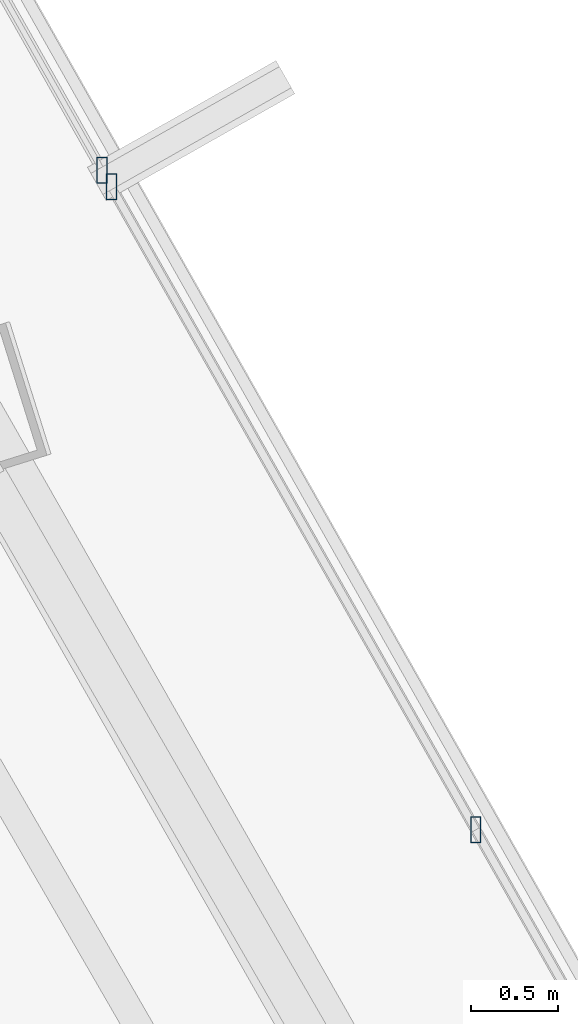
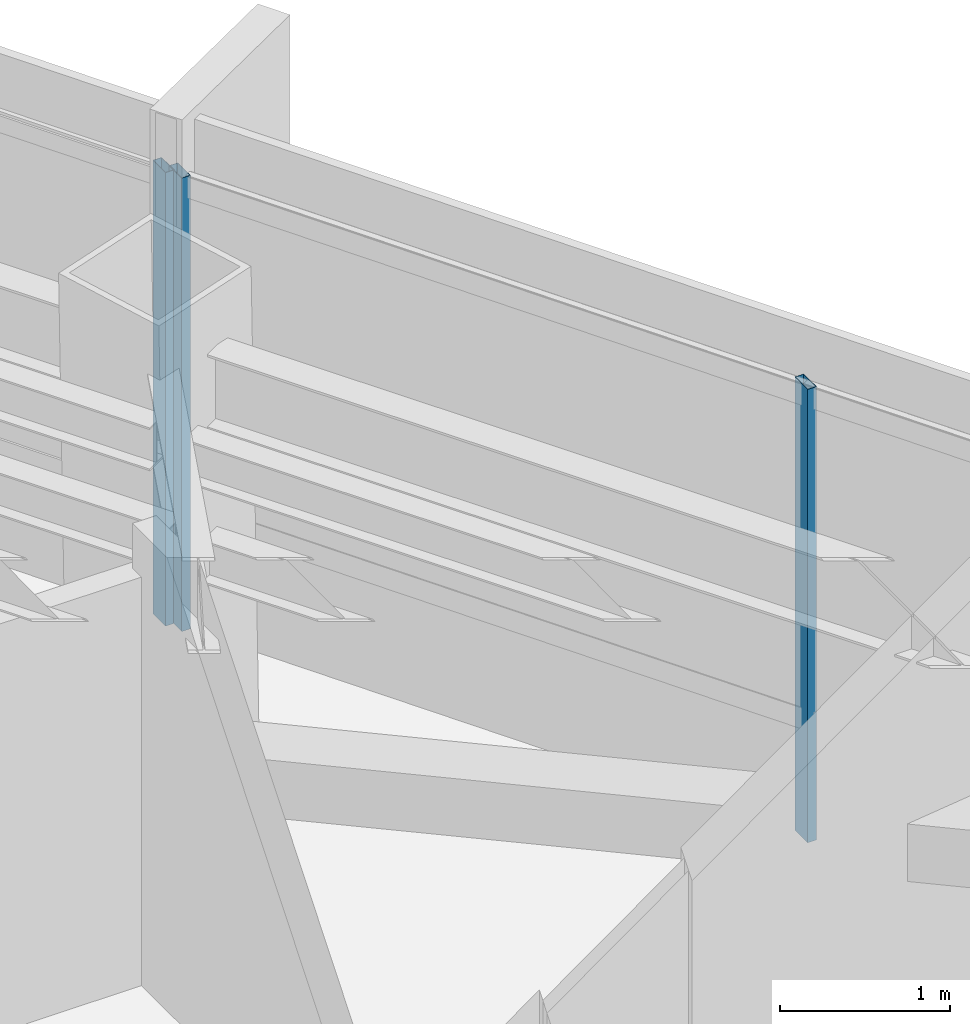
# One storey, part 28 of 40: 3 members, 2 elements without a shape of their own.
"""IFC4 building model written with IfcOpenShell, lengths in metres."""

from ifc_helpers import new_model, si_unit, direction, frame, origin, origin_2d, place, context, subcontext, project, spatial, hollow_rectangle, extrude, source, transform, mapped, material, material_profile, profile_set, type_object, type_shapes, element, aggregate, save


model = new_model("IFC4")

# Units and contexts
model_context = context("Model", 3, precision=1e-05, world=origin(), true_north=direction((0.0, 1.0)))
body_context = subcontext(model_context, "Body", "Model", "MODEL_VIEW")
ifc_project = project(units=[si_unit("LENGTHUNIT", "METRE"), si_unit("AREAUNIT", "SQUARE_METRE"), si_unit("VOLUMEUNIT", "CUBIC_METRE"), si_unit("PLANEANGLEUNIT", "RADIAN"), si_unit("MASSUNIT", "GRAM", prefix="KILO")], contexts=[model_context])

# Site, building, storey
site_placement = place(None, origin())
site = spatial("IfcSite", under=ifc_project, at=site_placement, CompositionType="ELEMENT")
building_placement = place(site_placement, origin())
building = spatial("IfcBuilding", under=site, at=building_placement, Name="Caelisora Broadcast Tower", CompositionType="ELEMENT")
storey_placement = place(building_placement, frame((0.0, 0.0, 216.89990234375)))
storey = spatial("IfcBuildingStorey", under=building, at=storey_placement, Name="L57", CompositionType="ELEMENT", Elevation=216.89990234375)

# Curtain wall, member
ifc_material_1 = material(Name="Unitised Aluminium and Low-E Glass Curtain Wall", Category="glass")
curtain_wall_type_1 = type_object("IfcCurtainWallType", Name="CW-Z4", PredefinedType="NOTDEFINED", material=ifc_material_1)
curtain_wall_1_placement = place(storey_placement, origin())
curtain_wall_1 = element("IfcCurtainWall", 1, at=curtain_wall_1_placement, inside=storey, type_object=curtain_wall_type_1, Name="L57 curtain wall CW-Z4", PredefinedType="NOTDEFINED")
ifc_material_2 = material(Name="Aluminium 6063-T6 Anodised Terracotta Bronze", Category="aluminium")
ifc_material_profile = material_profile(ifc_material_2, hollow_rectangle(XDim=0.06005859375, YDim=0.14990234375, WallThickness=0.00341796875, at=origin_2d()), Name="Aluminium 6063-T6 Anodised Terracotta Bronze")
ifc_profile_set = profile_set([ifc_material_profile], Name="Aluminium 6063-T6 Anodised Terracotta Bronze")
member_type = type_object("IfcMemberType", Name="CWM-03", PredefinedType="MULLION", material=ifc_profile_set)
shared_shape = source(origin(), body_context, "Body", "SweptSolid", [
    extrude(hollow_rectangle(XDim=0.06005859375, YDim=0.14990234375, WallThickness=0.00341796875, at=origin_2d()), origin(), (0.0, 0.0, 1.0), 3.25),
])
type_shapes(member_type, [shared_shape])
member_1_placement = place(storey_placement, frame((49.3125, 38.06103515625, 0.0), z_axis=(0.0, 0.0, 1.0), x_axis=(1.0, 0.0, 0.0)))
member_1 = element("IfcMember", 2, at=member_1_placement, type_object=member_type, Name="L57-CW-B01 mullion #3", PredefinedType="MULLION", context=body_context, shape_type="MappedRepresentation", body=[
    mapped(shared_shape, transform((0.0, 0.0, 0.0), scale=1.0)),
])
aggregate(curtain_wall_1, [member_1])

# Curtain wall, members
ifc_material_3 = material(Name="Unitised Aluminium Insulated Shadow-Box Spandrel Curtain Wall", Category="aluminium")
curtain_wall_type_2 = type_object("IfcCurtainWallType", Name="CW-SP2", PredefinedType="NOTDEFINED", material=ifc_material_3)
curtain_wall_2_placement = place(storey_placement, origin())
curtain_wall_2 = element("IfcCurtainWall", 3, at=curtain_wall_2_placement, inside=storey, type_object=curtain_wall_type_2, Name="L57 curtain wall CW-SP2", PredefinedType="NOTDEFINED")
member_2_placement = place(storey_placement, frame((49.36669921875, 37.96533203125, 0.0), z_axis=(0.0, 0.0, 1.0), x_axis=(1.0, 0.0, 0.0)))
member_2 = element("IfcMember", 4, at=member_2_placement, type_object=member_type, Name="L57-CW-B02 mullion #0", PredefinedType="MULLION", context=body_context, shape_type="MappedRepresentation", body=[
    mapped(shared_shape, transform((0.0, 0.0, 0.0), scale=1.0)),
])
member_3_placement = place(storey_placement, frame((51.46875, 34.254638671875, 0.0), z_axis=(0.0, 0.0, 1.0), x_axis=(1.0, 0.0, 0.0)))
member_3 = element("IfcMember", 5, at=member_3_placement, type_object=member_type, Name="L57-CW-B02 mullion #1", PredefinedType="MULLION", context=body_context, shape_type="MappedRepresentation", body=[
    mapped(shared_shape, transform((0.0, 0.0, 0.0), scale=1.0)),
])
aggregate(curtain_wall_2, [member_2, member_3])

save(model, "model.ifc")
